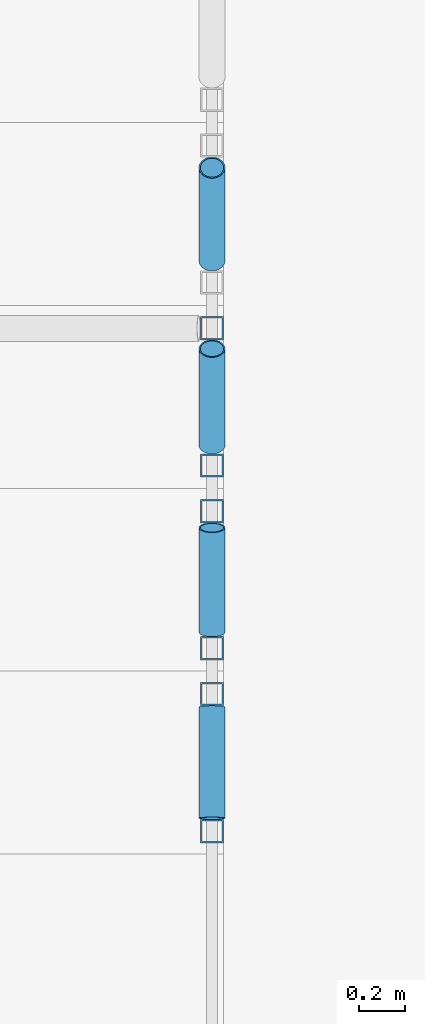
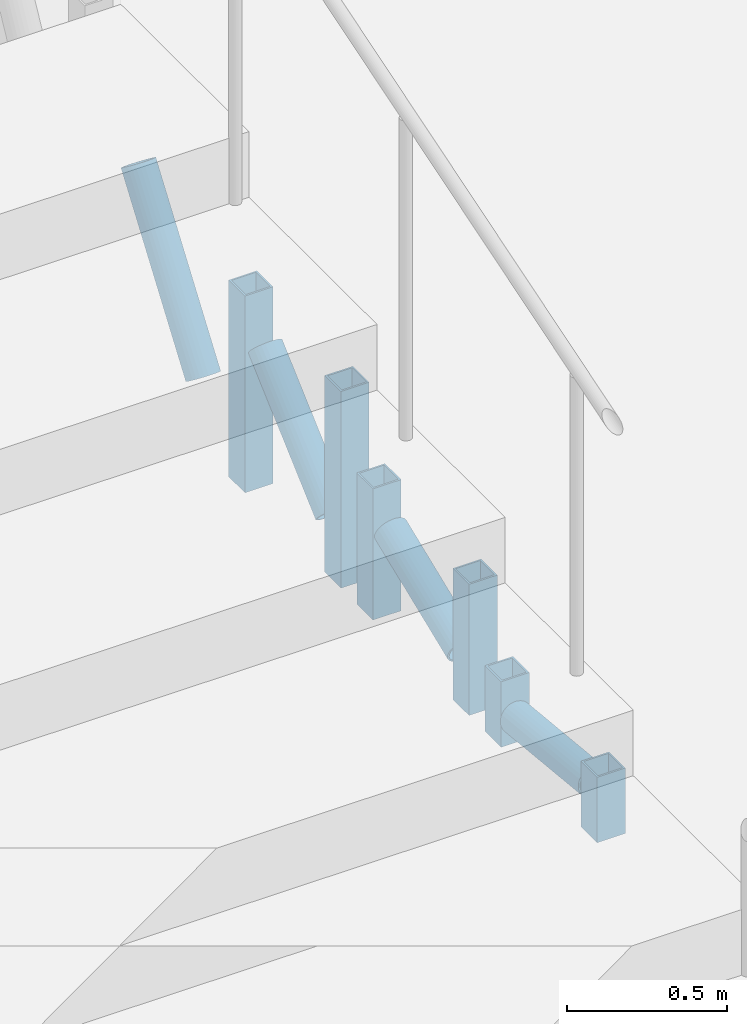
# One storey, part 64 of 139: 10 members.
"""IFC4 building model written with IfcOpenShell, lengths in metres."""

from ifc_helpers import new_model, si_unit, direction, frame, origin, origin_2d, place, context, subcontext, project, spatial, hollow_rectangle, hollow_circle, extrude, material, material_profile, profile_set, type_object, element, save


model = new_model("IFC4")

# Units and contexts
model_context = context("Model", 3, precision=1e-05, world=origin(), true_north=direction((0.0, 1.0)))
body_context = subcontext(model_context, "Body", "Model", "MODEL_VIEW")
ifc_project = project(units=[si_unit("LENGTHUNIT", "METRE"), si_unit("AREAUNIT", "SQUARE_METRE"), si_unit("VOLUMEUNIT", "CUBIC_METRE"), si_unit("PLANEANGLEUNIT", "RADIAN"), si_unit("MASSUNIT", "GRAM", prefix="KILO")], contexts=[model_context])

# Site, building, storey
site_placement = place(None, origin())
site = spatial("IfcSite", under=ifc_project, at=site_placement, CompositionType="ELEMENT")
building_placement = place(site_placement, origin())
building = spatial("IfcBuilding", under=site, at=building_placement, Name="Verrick Yard Athletic Hall", CompositionType="ELEMENT")
storey_placement = place(building_placement, origin())
storey = spatial("IfcBuildingStorey", under=building, at=storey_placement, Name="L00", CompositionType="ELEMENT", Elevation=0.0)

# Members
ifc_material = material(Name="Structural steel HSS Class C 350W (CSA G40.20/G40.21)", Category="steel")
ifc_material_profile_1 = material_profile(ifc_material, hollow_circle(Radius=0.05712890625, WallThickness=0.00634765625, at=origin_2d()), Name="HSS114x6.4")
ifc_profile_set_1 = profile_set([ifc_material_profile_1], Name="Structural steel HSS Class C 350W (CSA G40.20/G40.21)")
member_type_1 = type_object("IfcMemberType", Name="HB roof brace HSS114x6.4", PredefinedType="BRACE", material=ifc_profile_set_1)
member_1_placement = place(storey_placement, frame((67.749267578125, 94.756591796875, 0.1494140625), z_axis=(0.0, 0.995007502445, -0.099800150697), x_axis=(-1.0, 0.0, 0.0)))
element("IfcMember", 1, at=member_1_placement, inside=storey, type_object=member_type_1, Name="HB-BRS-RSB1-z2", PredefinedType="BRACE", context=body_context, shape_type="SweptSolid", body=[
    extrude(hollow_circle(Radius=0.05712890625, WallThickness=0.00634765625, at=origin_2d()), origin(), (0.0, 0.0, 1.0), 0.4892578125),
])
member_2_placement = place(storey_placement, frame((67.749267578125, 95.572021484375, 0.158447265625), z_axis=(0.0, 0.927927248066, 0.372761347643), x_axis=(-1.0, 0.0, 0.0)))
element("IfcMember", 2, at=member_2_placement, inside=storey, type_object=member_type_1, Name="HB-BRS-RSB1-z3", PredefinedType="BRACE", context=body_context, shape_type="SweptSolid", body=[
    extrude(hollow_circle(Radius=0.05712890625, WallThickness=0.00634765625, at=origin_2d()), origin(), (0.0, 0.0, 1.0), 0.4912109375),
])
member_3_placement = place(storey_placement, frame((67.749267578125, 96.38916015625, 0.1845703125), z_axis=(0.0, 0.74207506315, 0.670316791264), x_axis=(-1.0, 0.0, 0.0)))
element("IfcMember", 3, at=member_3_placement, inside=storey, type_object=member_type_1, Name="HB-BRS-RSB1-z4", PredefinedType="BRACE", context=body_context, shape_type="SweptSolid", body=[
    extrude(hollow_circle(Radius=0.05712890625, WallThickness=0.00634765625, at=origin_2d()), origin(), (0.0, 0.0, 1.0), 0.568115234375),
])
member_4_placement = place(storey_placement, frame((67.749267578125, 97.197265625, 0.21533203125), z_axis=(0.0, 0.579915574344, 0.814676577934), x_axis=(-1.0, 0.0, 0.0)))
element("IfcMember", 4, at=member_4_placement, inside=storey, type_object=member_type_1, Name="HB-BRS-RSB1-z5", PredefinedType="BRACE", context=body_context, shape_type="SweptSolid", body=[
    extrude(hollow_circle(Radius=0.05712890625, WallThickness=0.00634765625, at=origin_2d()), origin(), (0.0, 0.0, 1.0), 0.69873046875),
])
ifc_material_profile_2 = material_profile(ifc_material, hollow_rectangle(XDim=0.1015625, YDim=0.1015625, WallThickness=0.00634765625, at=origin_2d()), Name="HSS102x102x6.4")
ifc_profile_set_2 = profile_set([ifc_material_profile_2], Name="Structural steel HSS Class C 350W (CSA G40.20/G40.21)")
member_type_2 = type_object("IfcMemberType", Name="HB seating post HSS102x102x6.4", PredefinedType="POST", material=ifc_profile_set_2)
for number, where, z_axis, x_axis, name in (
    (5, (67.749267578125, 94.699951171875, 0.0), (0.0, 0.0, 1.0), (0.0, 1.0, 0.0), "HB-SP-RSB1-T2f10"),
    (6, (67.749267578125, 95.300048828125, 0.0), (0.0, 0.0, 1.0), (0.0, 1.0, 0.0), "HB-SP-RSB1-T2b10"),
):
    element("IfcMember", number, at=place(storey_placement, frame(where, z_axis=z_axis, x_axis=x_axis)), inside=storey, type_object=member_type_2, Name=name, PredefinedType="POST", context=body_context, shape_type="SweptSolid", body=[
        extrude(hollow_rectangle(XDim=0.1015625, YDim=0.1015625, WallThickness=0.00634765625, at=origin_2d()), origin(), (0.0, 0.0, 1.0), 0.25),
    ])
for number, where, z_axis, x_axis, name in (
    (7, (67.749267578125, 95.5, 0.0), (0.0, 0.0, 1.0), (0.0, 1.0, 0.0), "HB-SP-RSB1-T3f10"),
    (8, (67.749267578125, 96.10009765625, 0.0), (0.0, 0.0, 1.0), (0.0, 1.0, 0.0), "HB-SP-RSB1-T3b10"),
):
    element("IfcMember", number, at=place(storey_placement, frame(where, z_axis=z_axis, x_axis=x_axis)), inside=storey, type_object=member_type_2, Name=name, PredefinedType="POST", context=body_context, shape_type="SweptSolid", body=[
        extrude(hollow_rectangle(XDim=0.1015625, YDim=0.1015625, WallThickness=0.00634765625, at=origin_2d()), origin(), (0.0, 0.0, 1.0), 0.5),
    ])
for number, where, z_axis, x_axis, name in (
    (9, (67.749267578125, 96.300048828125, 0.0), (0.0, 0.0, 1.0), (0.0, 1.0, 0.0), "HB-SP-RSB1-T4f10"),
    (10, (67.749267578125, 96.89990234375, 0.0), (0.0, 0.0, 1.0), (0.0, 1.0, 0.0), "HB-SP-RSB1-T4b10"),
):
    element("IfcMember", number, at=place(storey_placement, frame(where, z_axis=z_axis, x_axis=x_axis)), inside=storey, type_object=member_type_2, Name=name, PredefinedType="POST", context=body_context, shape_type="SweptSolid", body=[
        extrude(hollow_rectangle(XDim=0.1015625, YDim=0.1015625, WallThickness=0.00634765625, at=origin_2d()), origin(), (0.0, 0.0, 1.0), 0.75),
    ])

save(model, "model.ifc")
